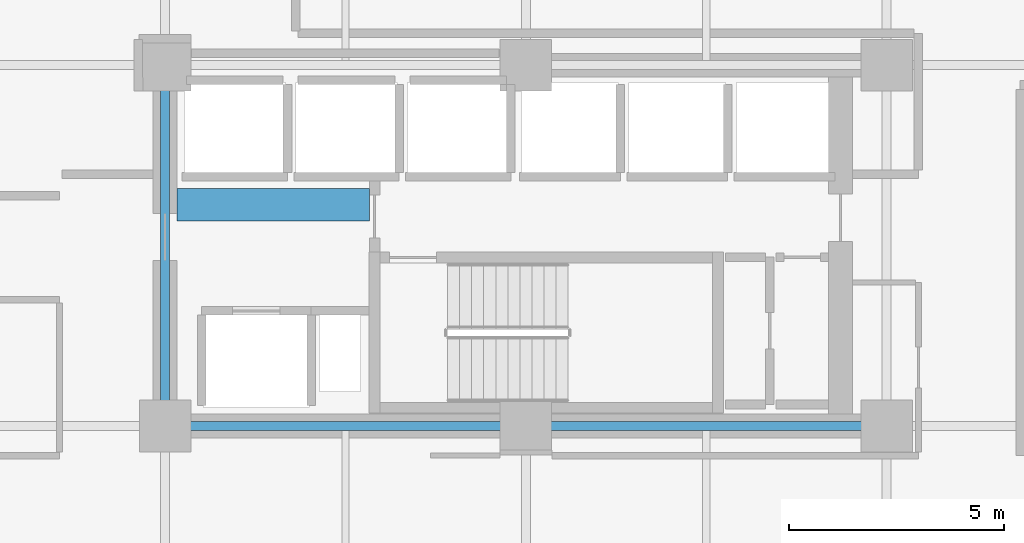
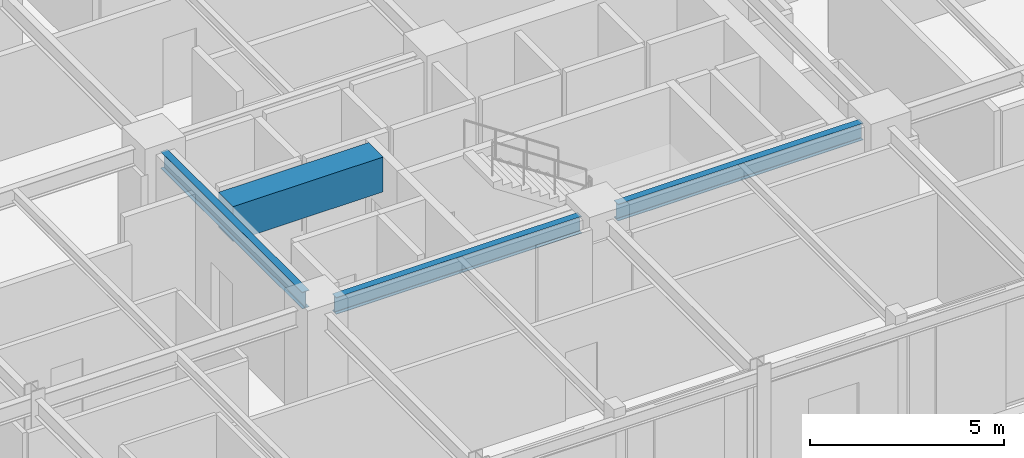
# One storey, part 10 of 38: 4 beams.
"""IFC4 building model written with IfcOpenShell, lengths in metres."""

import ifcopenshell
import ifcopenshell.guid

model = None  # the IFC model being written
_history = None  # IfcOwnerHistory: only IFC2X3 demands one
_inside = {}  # id of a spatial element -> (the spatial element, [elements in it])
_under = {}  # id of a project, library or spatial element -> (it, [spatial elements below it])
_declared = {}  # id of a project -> (the project, [libraries it declares])
_typed = {}  # id of a type object -> (the type object, [elements of that type])
_made_of = {}  # id of a material, layer set ... -> (it, [elements and type objects made of it])


def new_model(schema):
    """Start an empty IFC model of exactly this schema.

    Asked for "IFC4X3", IfcOpenShell would pick the latest addendum, in which some entities
    have other attributes; the version numbers below select the first issue.
    IFC2X3 requires an IfcOwnerHistory on every rooted entity: one is made here for all.
    """
    global model, _history
    if schema == "IFC4X3":
        model = ifcopenshell.file(schema_version=(4, 3, 0, 0))
    else:
        model = ifcopenshell.file(schema=schema)
    _inside.clear()
    _under.clear()
    _declared.clear()
    _typed.clear()
    _made_of.clear()
    _history = None
    if model.schema == "IFC2X3":
        org = make("IfcOrganization", Name="unknown")
        user = make(
            "IfcPersonAndOrganization",
            ThePerson=make("IfcPerson", FamilyName="unknown"),
            TheOrganization=org,
        )
        app = make(
            "IfcApplication",
            ApplicationDeveloper=org,
            Version="unknown",
            ApplicationFullName="unknown",
            ApplicationIdentifier="unknown",
        )
        _history = make(
            "IfcOwnerHistory",
            OwningUser=user,
            OwningApplication=app,
            ChangeAction="ADDED",
            CreationDate=0,
        )
    return model


def make(cls, **values):
    """One entity of the class cls with the attributes given. An attribute that is None is left unset."""
    return model.create_entity(
        cls, **{name: value for name, value in values.items() if value is not None}
    )


def rooted(cls, **values):
    """An entity with a GlobalId (a new one), such as an element, a storey or a relation."""
    return make(cls, GlobalId=ifcopenshell.guid.new(), OwnerHistory=_history, **values)


def si_unit(unit_type, name, prefix=None):
    """IfcSIUnit, for example si_unit("LENGTHUNIT", "METRE", prefix="MILLI")."""
    return make("IfcSIUnit", UnitType=unit_type, Prefix=prefix, Name=name)


def assignment(units):
    """IfcUnitAssignment: the units of a project."""
    return None if units is None else make("IfcUnitAssignment", Units=units)


def point(xyz):
    """IfcCartesianPoint."""
    return None if xyz is None else make("IfcCartesianPoint", Coordinates=xyz)


def direction(xyz):
    """IfcDirection."""
    return None if xyz is None else make("IfcDirection", DirectionRatios=xyz)


def frame(location, z_axis=None, x_axis=None):
    """IfcAxis2Placement3D, a coordinate frame: its origin and axes. An axis left out is left unset."""
    return make(
        "IfcAxis2Placement3D",
        Location=point(location),
        Axis=direction(z_axis),
        RefDirection=direction(x_axis),
    )


def frame_2d(location, x_axis=None):
    """IfcAxis2Placement2D, a coordinate frame in the plane: its origin and x axis."""
    return make(
        "IfcAxis2Placement2D", Location=point(location), RefDirection=direction(x_axis)
    )


def origin():
    """The frame at (0, 0, 0) with its axes left unset."""
    return frame((0.0, 0.0, 0.0))


def origin_2d():
    """The frame at (0, 0) in the plane with its x axis left unset."""
    return frame_2d((0.0, 0.0))


def place(relative_to, where):
    """IfcLocalPlacement: puts the frame where relative to a parent placement (None: the world)."""
    return make(
        "IfcLocalPlacement", PlacementRelTo=relative_to, RelativePlacement=where
    )


def context(
    kind, dimensions, precision=None, world=None, true_north=None, identifier=None
):
    """IfcGeometricRepresentationContext, for example the 3D "Model" context."""
    return make(
        "IfcGeometricRepresentationContext",
        ContextIdentifier=identifier,
        ContextType=kind,
        CoordinateSpaceDimension=dimensions,
        Precision=precision,
        WorldCoordinateSystem=world,
        TrueNorth=true_north,
    )


def subcontext(parent, identifier, kind, view, scale=None):
    """IfcGeometricRepresentationSubContext, for example "Body" below "Model"."""
    return make(
        "IfcGeometricRepresentationSubContext",
        ContextIdentifier=identifier,
        ContextType=kind,
        ParentContext=parent,
        TargetScale=scale,
        TargetView=view,
    )


def project(units=None, contexts=None):
    """IfcProject with its units and contexts."""
    return rooted(
        "IfcProject",
        Name="project",
        RepresentationContexts=contexts,
        UnitsInContext=assignment(units),
    )


def spatial(cls, under=None, at=None, **own):
    """A site, building, storey or space (cls), placed at a placement, below another one or the project."""
    s = rooted(cls, ObjectPlacement=at, **own)
    if under is not None:
        _under.setdefault(under.id(), (under, []))[1].append(s)
    return s


def profile(cls, at=None, kind="AREA", **sizes):
    """A parametric profile (cls). Its sizes go by their IFC names, for example OverallWidth=200.0."""
    return make(cls, ProfileType=kind, Position=at, **sizes)


def rectangle(**sizes):
    """IfcRectangleProfileDef."""
    return profile("IfcRectangleProfileDef", **sizes)


def i_section(**sizes):
    """IfcIShapeProfileDef."""
    return profile("IfcIShapeProfileDef", **sizes)


def extrude(swept, where, along, depth):
    """IfcExtrudedAreaSolid: the profile swept, set in the frame where, extruded along a direction by depth."""
    return make(
        "IfcExtrudedAreaSolid",
        SweptArea=swept,
        Position=where,
        ExtrudedDirection=direction(along),
        Depth=depth,
    )


def shape(context_of_items, identifier, shape_type, items):
    """IfcShapeRepresentation: the items that make up one representation, for example the "Body"."""
    return make(
        "IfcShapeRepresentation",
        ContextOfItems=context_of_items,
        RepresentationIdentifier=identifier,
        RepresentationType=shape_type,
        Items=items,
    )


def material(Name=None, Category=None):
    """IfcMaterial."""
    return make("IfcMaterial", Name=Name, Category=Category)


def material_profile(
    of_material, cross_section, Name=None, Category=None, Priority=None
):
    """IfcMaterialProfile: a cross section and its material."""
    return make(
        "IfcMaterialProfile",
        Name=Name,
        Material=of_material,
        Profile=cross_section,
        Priority=Priority,
        Category=Category,
    )


def profile_set(profiles, Name=None, composite=None):
    """IfcMaterialProfileSet."""
    return make(
        "IfcMaterialProfileSet",
        Name=Name,
        MaterialProfiles=profiles,
        CompositeProfile=composite,
    )


def made_of(thing, what):
    """Note that an element or type object is made of a material, layer set ...; save() writes the relation."""
    if what is not None:
        _made_of.setdefault(what.id(), (what, []))[1].append(thing)
    return thing


def type_object(cls, material=None, **own):
    """A type object (cls), such as IfcWallType, which elements share."""
    return made_of(rooted(cls, **own), material)


def element(
    cls,
    number,
    at=None,
    inside=None,
    cuts=None,
    type_object=None,
    material=None,
    context=None,
    identifier="Body",
    shape_type=None,
    held_by="IfcProductDefinitionShape",
    body=None,
    shapes=None,
    **own,
):
    """One element of the class cls, such as IfcWall. Its Tag is "e" and its number.

    at: its placement. inside: the storey or other place that contains it. cuts: it is an
    opening in that element (IfcRelVoidsElement). A single representation is given by context,
    identifier, shape_type and body (its items); several are given by shapes. held_by: the class
    of the entity that holds the representations. save() writes the other relations.
    """
    e = rooted(cls, Tag="e%d" % number, ObjectPlacement=at, **own)
    if body is not None:
        shapes = [shape(context, identifier, shape_type, body)]
    if shapes is not None:
        e.Representation = make(held_by, Representations=shapes)
    if inside is not None:
        _inside.setdefault(inside.id(), (inside, []))[1].append(e)
    if cuts is not None:
        rooted(
            "IfcRelVoidsElement", RelatingBuildingElement=cuts, RelatedOpeningElement=e
        )
    if type_object is not None:
        _typed.setdefault(type_object.id(), (type_object, []))[1].append(e)
    return made_of(e, material)


def aggregate(whole, parts):
    """IfcRelAggregates: a whole, such as a stair, and the parts it consists of."""
    return rooted("IfcRelAggregates", RelatingObject=whole, RelatedObjects=parts)


def save(model, path):
    """Write the relations noted so far, then the file.

    IfcRelAggregates (storeys below a building ...), IfcRelContainedInSpatialStructure (elements
    in a storey), IfcRelDefinesByType, IfcRelAssociatesMaterial and IfcRelDeclares: one each for
    every whole, place, type object, material and project.
    """
    for whole, parts in _under.values():
        aggregate(whole, parts)
    for where, things in _inside.values():
        rooted(
            "IfcRelContainedInSpatialStructure",
            RelatedElements=things,
            RelatingStructure=where,
        )
    for kind, things in _typed.values():
        rooted("IfcRelDefinesByType", RelatedObjects=things, RelatingType=kind)
    for what, things in _made_of.values():
        rooted("IfcRelAssociatesMaterial", RelatedObjects=things, RelatingMaterial=what)
    for by, libraries in _declared.values():
        rooted("IfcRelDeclares", RelatingContext=by, RelatedDefinitions=libraries)
    model.write(path)


model = new_model("IFC4")

# Units and contexts
model_context = context("Model", 3, precision=1e-05, world=origin(), true_north=direction((0.0, 1.0)))
body_context = subcontext(model_context, "Body", "Model", "MODEL_VIEW")
ifc_project = project(units=[si_unit("LENGTHUNIT", "METRE"), si_unit("AREAUNIT", "SQUARE_METRE"), si_unit("VOLUMEUNIT", "CUBIC_METRE"), si_unit("PLANEANGLEUNIT", "RADIAN"), si_unit("MASSUNIT", "GRAM", prefix="KILO")], contexts=[model_context])

# Site, building, storey
site_placement = place(None, origin())
site = spatial("IfcSite", under=ifc_project, at=site_placement, CompositionType="ELEMENT")
building_placement = place(site_placement, origin())
building = spatial("IfcBuilding", under=site, at=building_placement, Name="Nerrivon Quay Data Exchange", CompositionType="ELEMENT")
storey_placement = place(building_placement, frame((0.0, 0.0, 100.800048828125)))
storey = spatial("IfcBuildingStorey", under=building, at=storey_placement, Name="L23", CompositionType="ELEMENT", Elevation=100.800048828125)

# Beams
ifc_material_1 = material(Name="Concrete S65 (65 MPa)", Category="concrete")
ifc_material_profile_1 = material_profile(ifc_material_1, rectangle(XDim=0.75, YDim=1.10009765625, at=origin_2d()), Name="RC-CB-750x1100")
ifc_profile_set_1 = profile_set([ifc_material_profile_1], Name="Concrete S65 (65 MPa)")
beam_type_1 = type_object("IfcBeamType", Name="BM-CB1-750x1100", PredefinedType="LINTEL", material=ifc_profile_set_1)
beam_1_placement = place(storey_placement, frame((17.074951171875, 13.550048828125, 3.27490234375), z_axis=(1.0, 0.0, 0.0), x_axis=(0.0, 1.0, 0.0)))
element("IfcBeam", 1, at=beam_1_placement, inside=storey, type_object=beam_type_1, Name="L23 East Core Coupling Beam", PredefinedType="LINTEL", context=body_context, shape_type="SweptSolid", body=[
    extrude(rectangle(XDim=0.75, YDim=1.10009765625, at=origin_2d()), origin(), (0.0, 0.0, 1.0), 4.47998046875),
])
ifc_material_2 = material(Name="Steel Grade 350", Category="steel")
ifc_material_profile_2 = material_profile(ifc_material_2, i_section(OverallWidth=0.208984375, OverallDepth=0.532958984375, WebThickness=0.01025390625, FlangeThickness=0.015625, FilletRadius=0.013916015625, at=origin_2d()), Name="530UB92.4")
ifc_profile_set_2 = profile_set([ifc_material_profile_2], Name="Steel Grade 350")
beam_type_2 = type_object("IfcBeamType", Name="BM-G3-530UB92", PredefinedType="BEAM", material=ifc_profile_set_2)
beam_2_placement = place(storey_placement, frame((17.340087890625, 8.39990234375, 3.558349609375), z_axis=(1.0, 0.0, 0.0), x_axis=(0.0, 1.0, 0.0)))
element("IfcBeam", 2, at=beam_2_placement, inside=storey, type_object=beam_type_2, Name="L23 EW Girder Y=8.4 (16.8..25.2)", PredefinedType="BEAM", context=body_context, shape_type="SweptSolid", body=[
    extrude(i_section(OverallWidth=0.208984375, OverallDepth=0.532958984375, WebThickness=0.01025390625, FlangeThickness=0.015625, FilletRadius=0.013916015625, at=origin_2d()), origin(), (0.0, 0.0, 1.0), 7.31982421875),
])
beam_3_placement = place(storey_placement, frame((25.739990234375, 8.39990234375, 3.558349609375), z_axis=(1.0, 0.0, 0.0), x_axis=(0.0, 1.0, 0.0)))
element("IfcBeam", 3, at=beam_3_placement, inside=storey, type_object=beam_type_2, Name="L23 EW Girder Y=8.4 (25.2..33.6)", PredefinedType="BEAM", context=body_context, shape_type="SweptSolid", body=[
    extrude(i_section(OverallWidth=0.208984375, OverallDepth=0.532958984375, WebThickness=0.01025390625, FlangeThickness=0.015625, FilletRadius=0.013916015625, at=origin_2d()), origin(), (0.0, 0.0, 1.0), 7.320068359375),
])
ifc_material_profile_3 = material_profile(ifc_material_2, i_section(OverallWidth=0.208984375, OverallDepth=0.528076171875, WebThickness=0.009521484375, FlangeThickness=0.01318359375, FilletRadius=0.013916015625, at=origin_2d()), Name="530UB82.0")
ifc_profile_set_3 = profile_set([ifc_material_profile_3], Name="Steel Grade 350")
beam_type_3 = type_object("IfcBeamType", Name="BM-G4-530UB82", PredefinedType="BEAM", material=ifc_profile_set_3)
beam_4_placement = place(storey_placement, frame((16.800048828125, 8.93994140625, 3.56103515625), z_axis=(0.0, 1.0, 0.0), x_axis=(-1.0, 0.0, 0.0)))
element("IfcBeam", 4, at=beam_4_placement, inside=storey, type_object=beam_type_3, Name="L23 NS Girder X=16.8 (8.4..16.8)", PredefinedType="BEAM", context=body_context, shape_type="SweptSolid", body=[
    extrude(i_section(OverallWidth=0.208984375, OverallDepth=0.528076171875, WebThickness=0.009521484375, FlangeThickness=0.01318359375, FilletRadius=0.013916015625, at=origin_2d()), origin(), (0.0, 0.0, 1.0), 7.320068359375),
])

save(model, "model.ifc")
